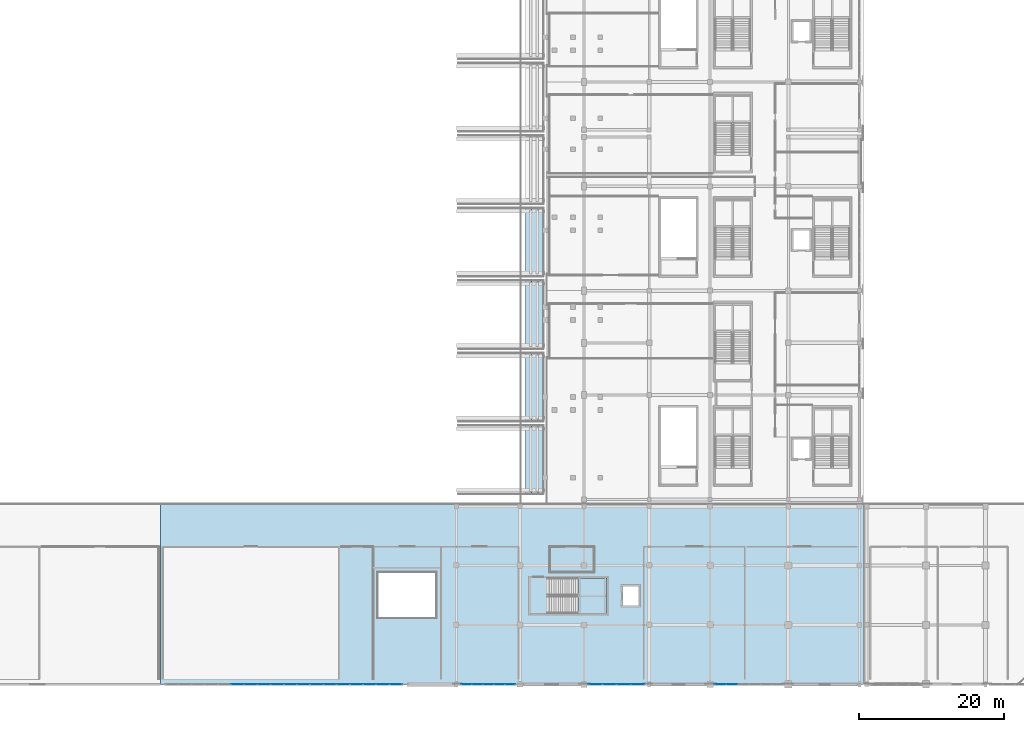
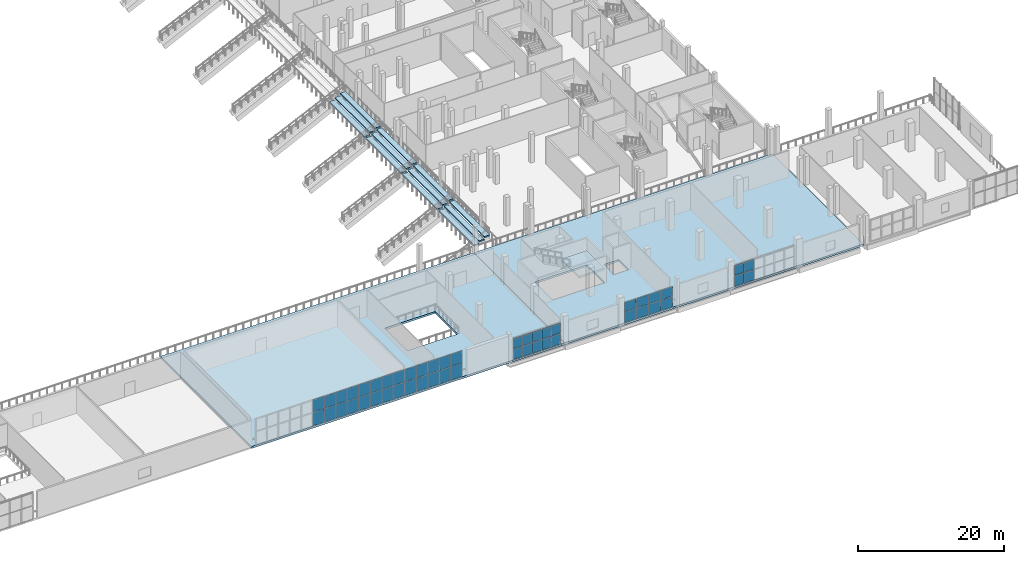
# One storey, part 63 of 129: 48 plates, 15 slabs, 5 elements without a shape of their own.
"""IFC4 building model written with IfcOpenShell, lengths in metres."""

from ifc_helpers import new_model, si_unit, direction, frame, origin, origin_2d, place, context, subcontext, project, spatial, polyline, rectangle, outline, extrude, material, layer, layer_set, type_object, element, aggregate, save


model = new_model("IFC4")

# Units and contexts
model_context = context("Model", 3, precision=1e-05, world=origin(), true_north=direction((0.0, 1.0)))
body_context = subcontext(model_context, "Body", "Model", "MODEL_VIEW")
ifc_project = project(units=[si_unit("LENGTHUNIT", "METRE"), si_unit("AREAUNIT", "SQUARE_METRE"), si_unit("VOLUMEUNIT", "CUBIC_METRE"), si_unit("PLANEANGLEUNIT", "RADIAN"), si_unit("MASSUNIT", "GRAM", prefix="KILO")], contexts=[model_context])

# Site, building, storey
site_placement = place(None, origin())
site = spatial("IfcSite", under=ifc_project, at=site_placement, CompositionType="ELEMENT")
building_placement = place(site_placement, origin())
building = spatial("IfcBuilding", under=site, at=building_placement, Name="Koshinbarg Plaza Stadium", CompositionType="ELEMENT")
storey_placement = place(building_placement, frame((0.0, 0.0, 5.39990234375)))
storey = spatial("IfcBuildingStorey", under=building, at=storey_placement, Name="L01", CompositionType="ELEMENT", Elevation=5.39990234375)

# Curtain wall, plates
ifc_material_1 = material(Name="Thermally broken anodised aluminium and low-E double glazing", Category="aluminium")
curtain_wall_type_1 = type_object("IfcCurtainWallType", Name="CW-SYS-13", PredefinedType="NOTDEFINED", material=ifc_material_1)
curtain_wall_1_placement = place(storey_placement, origin())
curtain_wall_1 = element("IfcCurtainWall", 1, at=curtain_wall_1_placement, inside=storey, type_object=curtain_wall_type_1, Name="L01 unitised curtain wall CW-L01-028", PredefinedType="NOTDEFINED")
ifc_material_2 = material(Name="Solar-control low-E double glazing unit", Category="glass")
ifc_layer_1 = layer(ifc_material_2, 0.028076171875)
ifc_layer_set_1 = layer_set([ifc_layer_1], Name="Solar-control low-E double glazing unit")
plate_type_1 = type_object("IfcPlateType", Name="CW-PNL-28", PredefinedType="CURTAIN_PANEL", material=ifc_layer_set_1)
plate_1_placement = place(storey_placement, frame((200.81005859375, 0.0, 0.06005859375), z_axis=(0.0, 0.0, 1.0), x_axis=(-1.0, 0.0, 0.0)))
plate_1 = element("IfcPlate", 2, at=plate_1_placement, type_object=plate_type_1, Name="CW13 panel 5.1", PredefinedType="CURTAIN_PANEL", context=body_context, shape_type="SweptSolid", body=[
    extrude(rectangle(XDim=1.533447265625, YDim=0.028076171875, at=origin_2d()), origin(), (0.0, 0.0, 1.0), 1.771484375),
])
plate_2_placement = place(storey_placement, frame((200.81005859375, 0.0, 1.8916015625), z_axis=(0.0, 0.0, 1.0), x_axis=(-1.0, 0.0, 0.0)))
plate_2 = element("IfcPlate", 3, at=plate_2_placement, type_object=plate_type_1, Name="CW13 panel 5.2", PredefinedType="CURTAIN_PANEL", context=body_context, shape_type="SweptSolid", body=[
    extrude(rectangle(XDim=1.533447265625, YDim=0.028076171875, at=origin_2d()), origin(), (0.0, 0.0, 1.0), 1.62841796875),
])
plate_3_placement = place(storey_placement, frame((199.231689453125, 0.0, 0.06005859375), z_axis=(0.0, 0.0, 1.0), x_axis=(-1.0, 0.0, 0.0)))
plate_3 = element("IfcPlate", 4, at=plate_3_placement, type_object=plate_type_1, Name="CW13 panel 6.1", PredefinedType="CURTAIN_PANEL", context=body_context, shape_type="SweptSolid", body=[
    extrude(rectangle(XDim=1.50341796875, YDim=0.028076171875, at=origin_2d()), origin(), (0.0, 0.0, 1.0), 1.771484375),
])
plate_4_placement = place(storey_placement, frame((199.231689453125, 0.0, 1.8916015625), z_axis=(0.0, 0.0, 1.0), x_axis=(-1.0, 0.0, 0.0)))
plate_4 = element("IfcPlate", 5, at=plate_4_placement, type_object=plate_type_1, Name="CW13 panel 6.2", PredefinedType="CURTAIN_PANEL", context=body_context, shape_type="SweptSolid", body=[
    extrude(rectangle(XDim=1.50341796875, YDim=0.028076171875, at=origin_2d()), origin(), (0.0, 0.0, 1.0), 1.62841796875),
])
aggregate(curtain_wall_1, [plate_1, plate_2, plate_3, plate_4])

curtain_wall_type_2 = type_object("IfcCurtainWallType", Name="CW-SYS-15", PredefinedType="NOTDEFINED", material=ifc_material_1)
curtain_wall_2_placement = place(storey_placement, origin())
curtain_wall_2 = element("IfcCurtainWall", 6, at=curtain_wall_2_placement, inside=storey, type_object=curtain_wall_type_2, Name="L01 unitised curtain wall CW-L01-030", PredefinedType="NOTDEFINED")
plate_5_placement = place(storey_placement, frame((170.208984375, 0.0, 0.06005859375), z_axis=(0.0, 0.0, 1.0), x_axis=(-1.0, 0.0, 0.0)))
plate_5 = element("IfcPlate", 7, at=plate_5_placement, type_object=plate_type_1, Name="CW15 panel 1.1", PredefinedType="CURTAIN_PANEL", context=body_context, shape_type="SweptSolid", body=[
    extrude(rectangle(XDim=1.422119140625, YDim=0.028076171875, at=origin_2d()), origin(), (0.0, 0.0, 1.0), 1.797607421875),
])
plate_6_placement = place(storey_placement, frame((170.208984375, 0.0, 1.917724609375), z_axis=(0.0, 0.0, 1.0), x_axis=(-1.0, 0.0, 0.0)))
plate_6 = element("IfcPlate", 8, at=plate_6_placement, type_object=plate_type_1, Name="CW15 panel 1.2", PredefinedType="CURTAIN_PANEL", context=body_context, shape_type="SweptSolid", body=[
    extrude(rectangle(XDim=1.422119140625, YDim=0.028076171875, at=origin_2d()), origin(), (0.0, 0.0, 1.0), 1.65234375),
])
plate_7_placement = place(storey_placement, frame((168.7119140625, 0.0, 0.06005859375), z_axis=(0.0, 0.0, 1.0), x_axis=(-1.0, 0.0, 0.0)))
plate_7 = element("IfcPlate", 9, at=plate_7_placement, type_object=plate_type_1, Name="CW15 panel 2.1", PredefinedType="CURTAIN_PANEL", context=body_context, shape_type="SweptSolid", body=[
    extrude(rectangle(XDim=1.451904296875, YDim=0.028076171875, at=origin_2d()), origin(), (0.0, 0.0, 1.0), 1.797607421875),
])
plate_8_placement = place(storey_placement, frame((168.7119140625, 0.0, 1.917724609375), z_axis=(0.0, 0.0, 1.0), x_axis=(-1.0, 0.0, 0.0)))
plate_8 = element("IfcPlate", 10, at=plate_8_placement, type_object=plate_type_1, Name="CW15 panel 2.2", PredefinedType="CURTAIN_PANEL", context=body_context, shape_type="SweptSolid", body=[
    extrude(rectangle(XDim=1.451904296875, YDim=0.028076171875, at=origin_2d()), origin(), (0.0, 0.0, 1.0), 1.65234375),
])
plate_9_placement = place(storey_placement, frame((167.199951171875, 0.0, 0.06005859375), z_axis=(0.0, 0.0, 1.0), x_axis=(-1.0, 0.0, 0.0)))
plate_9 = element("IfcPlate", 11, at=plate_9_placement, type_object=plate_type_1, Name="CW15 panel 3.1", PredefinedType="CURTAIN_PANEL", context=body_context, shape_type="SweptSolid", body=[
    extrude(rectangle(XDim=1.451904296875, YDim=0.028076171875, at=origin_2d()), origin(), (0.0, 0.0, 1.0), 1.797607421875),
])
plate_10_placement = place(storey_placement, frame((167.199951171875, 0.0, 1.917724609375), z_axis=(0.0, 0.0, 1.0), x_axis=(-1.0, 0.0, 0.0)))
plate_10 = element("IfcPlate", 12, at=plate_10_placement, type_object=plate_type_1, Name="CW15 panel 3.2", PredefinedType="CURTAIN_PANEL", context=body_context, shape_type="SweptSolid", body=[
    extrude(rectangle(XDim=1.451904296875, YDim=0.028076171875, at=origin_2d()), origin(), (0.0, 0.0, 1.0), 1.65234375),
])
plate_11_placement = place(storey_placement, frame((165.68798828125, 0.0, 0.06005859375), z_axis=(0.0, 0.0, 1.0), x_axis=(-1.0, 0.0, 0.0)))
plate_11 = element("IfcPlate", 13, at=plate_11_placement, type_object=plate_type_1, Name="CW15 panel 4.1", PredefinedType="CURTAIN_PANEL", context=body_context, shape_type="SweptSolid", body=[
    extrude(rectangle(XDim=1.451904296875, YDim=0.028076171875, at=origin_2d()), origin(), (0.0, 0.0, 1.0), 1.797607421875),
])
plate_12_placement = place(storey_placement, frame((165.68798828125, 0.0, 1.917724609375), z_axis=(0.0, 0.0, 1.0), x_axis=(-1.0, 0.0, 0.0)))
plate_12 = element("IfcPlate", 14, at=plate_12_placement, type_object=plate_type_1, Name="CW15 panel 4.2", PredefinedType="CURTAIN_PANEL", context=body_context, shape_type="SweptSolid", body=[
    extrude(rectangle(XDim=1.451904296875, YDim=0.028076171875, at=origin_2d()), origin(), (0.0, 0.0, 1.0), 1.65234375),
])
plate_13_placement = place(storey_placement, frame((164.19091796875, 0.0, 0.06005859375), z_axis=(0.0, 0.0, 1.0), x_axis=(-1.0, 0.0, 0.0)))
plate_13 = element("IfcPlate", 15, at=plate_13_placement, type_object=plate_type_1, Name="CW15 panel 5.1", PredefinedType="CURTAIN_PANEL", context=body_context, shape_type="SweptSolid", body=[
    extrude(rectangle(XDim=1.422119140625, YDim=0.028076171875, at=origin_2d()), origin(), (0.0, 0.0, 1.0), 1.797607421875),
])
plate_14_placement = place(storey_placement, frame((164.19091796875, 0.0, 1.917724609375), z_axis=(0.0, 0.0, 1.0), x_axis=(-1.0, 0.0, 0.0)))
plate_14 = element("IfcPlate", 16, at=plate_14_placement, type_object=plate_type_1, Name="CW15 panel 5.2", PredefinedType="CURTAIN_PANEL", context=body_context, shape_type="SweptSolid", body=[
    extrude(rectangle(XDim=1.422119140625, YDim=0.028076171875, at=origin_2d()), origin(), (0.0, 0.0, 1.0), 1.65234375),
])
aggregate(curtain_wall_2, [plate_5, plate_6, plate_7, plate_8, plate_9, plate_10, plate_11, plate_12, plate_13, plate_14])

curtain_wall_type_3 = type_object("IfcCurtainWallType", Name="CW-SYS-14", PredefinedType="NOTDEFINED", material=ifc_material_1)
curtain_wall_3_placement = place(storey_placement, origin())
curtain_wall_3 = element("IfcCurtainWall", 17, at=curtain_wall_3_placement, inside=storey, type_object=curtain_wall_type_3, Name="L01 unitised curtain wall CW-L01-029", PredefinedType="NOTDEFINED")
ifc_material_3 = material(Name="Acoustic solar-control double glazing unit", Category="glass")
ifc_layer_2 = layer(ifc_material_3, 0.031982421875)
ifc_layer_set_2 = layer_set([ifc_layer_2], Name="Acoustic solar-control double glazing unit")
plate_type_2 = type_object("IfcPlateType", Name="CW-PNL-32", PredefinedType="CURTAIN_PANEL", material=ifc_layer_set_2)
plate_15_placement = place(storey_placement, frame((187.794921875, 0.0, 0.06005859375), z_axis=(0.0, 0.0, 1.0), x_axis=(-1.0, 0.0, 0.0)))
plate_15 = element("IfcPlate", 18, at=plate_15_placement, type_object=plate_type_2, Name="CW14 panel 1.1", PredefinedType="CURTAIN_PANEL", context=body_context, shape_type="SweptSolid", body=[
    extrude(rectangle(XDim=1.85009765625, YDim=0.031982421875, at=origin_2d()), origin(), (0.0, 0.0, 1.0), 1.74560546875),
])
plate_16_placement = place(storey_placement, frame((187.794921875, 0.0, 1.86572265625), z_axis=(0.0, 0.0, 1.0), x_axis=(-1.0, 0.0, 0.0)))
plate_16 = element("IfcPlate", 19, at=plate_16_placement, type_object=plate_type_2, Name="CW14 panel 1.2", PredefinedType="CURTAIN_PANEL", context=body_context, shape_type="SweptSolid", body=[
    extrude(rectangle(XDim=1.85009765625, YDim=0.031982421875, at=origin_2d()), origin(), (0.0, 0.0, 1.0), 1.6044921875),
])
plate_17_placement = place(storey_placement, frame((185.8701171875, 0.0, 0.06005859375), z_axis=(0.0, 0.0, 1.0), x_axis=(-1.0, 0.0, 0.0)))
plate_17 = element("IfcPlate", 20, at=plate_17_placement, type_object=plate_type_2, Name="CW14 panel 2.1", PredefinedType="CURTAIN_PANEL", context=body_context, shape_type="SweptSolid", body=[
    extrude(rectangle(XDim=1.8798828125, YDim=0.031982421875, at=origin_2d()), origin(), (0.0, 0.0, 1.0), 1.74560546875),
])
plate_18_placement = place(storey_placement, frame((185.8701171875, 0.0, 1.86572265625), z_axis=(0.0, 0.0, 1.0), x_axis=(-1.0, 0.0, 0.0)))
plate_18 = element("IfcPlate", 21, at=plate_18_placement, type_object=plate_type_2, Name="CW14 panel 2.2", PredefinedType="CURTAIN_PANEL", context=body_context, shape_type="SweptSolid", body=[
    extrude(rectangle(XDim=1.8798828125, YDim=0.031982421875, at=origin_2d()), origin(), (0.0, 0.0, 1.0), 1.6044921875),
])
plate_19_placement = place(storey_placement, frame((183.929931640625, 0.0, 0.06005859375), z_axis=(0.0, 0.0, 1.0), x_axis=(-1.0, 0.0, 0.0)))
plate_19 = element("IfcPlate", 22, at=plate_19_placement, type_object=plate_type_2, Name="CW14 panel 3.1", PredefinedType="CURTAIN_PANEL", context=body_context, shape_type="SweptSolid", body=[
    extrude(rectangle(XDim=1.8798828125, YDim=0.031982421875, at=origin_2d()), origin(), (0.0, 0.0, 1.0), 1.74560546875),
])
plate_20_placement = place(storey_placement, frame((183.929931640625, 0.0, 1.86572265625), z_axis=(0.0, 0.0, 1.0), x_axis=(-1.0, 0.0, 0.0)))
plate_20 = element("IfcPlate", 23, at=plate_20_placement, type_object=plate_type_2, Name="CW14 panel 3.2", PredefinedType="CURTAIN_PANEL", context=body_context, shape_type="SweptSolid", body=[
    extrude(rectangle(XDim=1.8798828125, YDim=0.031982421875, at=origin_2d()), origin(), (0.0, 0.0, 1.0), 1.6044921875),
])
plate_21_placement = place(storey_placement, frame((182.0048828125, 0.0, 0.06005859375), z_axis=(0.0, 0.0, 1.0), x_axis=(-1.0, 0.0, 0.0)))
plate_21 = element("IfcPlate", 24, at=plate_21_placement, type_object=plate_type_2, Name="CW14 panel 4.1", PredefinedType="CURTAIN_PANEL", context=body_context, shape_type="SweptSolid", body=[
    extrude(rectangle(XDim=1.85009765625, YDim=0.031982421875, at=origin_2d()), origin(), (0.0, 0.0, 1.0), 1.74560546875),
])
plate_22_placement = place(storey_placement, frame((182.0048828125, 0.0, 1.86572265625), z_axis=(0.0, 0.0, 1.0), x_axis=(-1.0, 0.0, 0.0)))
plate_22 = element("IfcPlate", 25, at=plate_22_placement, type_object=plate_type_2, Name="CW14 panel 4.2", PredefinedType="CURTAIN_PANEL", context=body_context, shape_type="SweptSolid", body=[
    extrude(rectangle(XDim=1.85009765625, YDim=0.031982421875, at=origin_2d()), origin(), (0.0, 0.0, 1.0), 1.6044921875),
])
aggregate(curtain_wall_3, [plate_15, plate_16, plate_17, plate_18, plate_19, plate_20, plate_21, plate_22])

curtain_wall_type_4 = type_object("IfcCurtainWallType", Name="CW-SYS-16", PredefinedType="NOTDEFINED", material=ifc_material_1)
curtain_wall_4_placement = place(storey_placement, origin())
curtain_wall_4 = element("IfcCurtainWall", 26, at=curtain_wall_4_placement, inside=storey, type_object=curtain_wall_type_4, Name="L01 unitised curtain wall CW-L01-031", PredefinedType="NOTDEFINED")
plate_23_placement = place(storey_placement, frame((154.455078125, 0.0, 0.06005859375), z_axis=(0.0, 0.0, 1.0), x_axis=(-1.0, 0.0, 0.0)))
plate_23 = element("IfcPlate", 27, at=plate_23_placement, type_object=plate_type_2, Name="CW16 panel 1.1", PredefinedType="CURTAIN_PANEL", context=body_context, shape_type="SweptSolid", body=[
    extrude(rectangle(XDim=1.72998046875, YDim=0.031982421875, at=origin_2d()), origin(), (0.0, 0.0, 1.0), 2.239501953125),
])
plate_24_placement = place(storey_placement, frame((154.455078125, 0.0, 2.35986328125), z_axis=(0.0, 0.0, 1.0), x_axis=(-1.0, 0.0, 0.0)))
plate_24 = element("IfcPlate", 28, at=plate_24_placement, type_object=plate_type_2, Name="CW16 panel 1.2", PredefinedType="CURTAIN_PANEL", context=body_context, shape_type="SweptSolid", body=[
    extrude(rectangle(XDim=1.72998046875, YDim=0.031982421875, at=origin_2d()), origin(), (0.0, 0.0, 1.0), 2.060302734375),
])
plate_25_placement = place(storey_placement, frame((152.64990234375, 0.0, 0.06005859375), z_axis=(0.0, 0.0, 1.0), x_axis=(-1.0, 0.0, 0.0)))
plate_25 = element("IfcPlate", 29, at=plate_25_placement, type_object=plate_type_2, Name="CW16 panel 2.1", PredefinedType="CURTAIN_PANEL", context=body_context, shape_type="SweptSolid", body=[
    extrude(rectangle(XDim=1.760009765625, YDim=0.031982421875, at=origin_2d()), origin(), (0.0, 0.0, 1.0), 2.239501953125),
])
plate_26_placement = place(storey_placement, frame((152.64990234375, 0.0, 2.35986328125), z_axis=(0.0, 0.0, 1.0), x_axis=(-1.0, 0.0, 0.0)))
plate_26 = element("IfcPlate", 30, at=plate_26_placement, type_object=plate_type_2, Name="CW16 panel 2.2", PredefinedType="CURTAIN_PANEL", context=body_context, shape_type="SweptSolid", body=[
    extrude(rectangle(XDim=1.760009765625, YDim=0.031982421875, at=origin_2d()), origin(), (0.0, 0.0, 1.0), 2.060302734375),
])
plate_27_placement = place(storey_placement, frame((150.830078125, 0.0, 0.06005859375), z_axis=(0.0, 0.0, 1.0), x_axis=(-1.0, 0.0, 0.0)))
plate_27 = element("IfcPlate", 31, at=plate_27_placement, type_object=plate_type_2, Name="CW16 panel 3.1", PredefinedType="CURTAIN_PANEL", context=body_context, shape_type="SweptSolid", body=[
    extrude(rectangle(XDim=1.760009765625, YDim=0.031982421875, at=origin_2d()), origin(), (0.0, 0.0, 1.0), 2.239501953125),
])
plate_28_placement = place(storey_placement, frame((150.830078125, 0.0, 2.35986328125), z_axis=(0.0, 0.0, 1.0), x_axis=(-1.0, 0.0, 0.0)))
plate_28 = element("IfcPlate", 32, at=plate_28_placement, type_object=plate_type_2, Name="CW16 panel 3.2", PredefinedType="CURTAIN_PANEL", context=body_context, shape_type="SweptSolid", body=[
    extrude(rectangle(XDim=1.760009765625, YDim=0.031982421875, at=origin_2d()), origin(), (0.0, 0.0, 1.0), 2.060302734375),
])
plate_29_placement = place(storey_placement, frame((149.010009765625, 0.0, 0.06005859375), z_axis=(0.0, 0.0, 1.0), x_axis=(-1.0, 0.0, 0.0)))
plate_29 = element("IfcPlate", 33, at=plate_29_placement, type_object=plate_type_2, Name="CW16 panel 4.1", PredefinedType="CURTAIN_PANEL", context=body_context, shape_type="SweptSolid", body=[
    extrude(rectangle(XDim=1.760009765625, YDim=0.031982421875, at=origin_2d()), origin(), (0.0, 0.0, 1.0), 2.239501953125),
])
plate_30_placement = place(storey_placement, frame((149.010009765625, 0.0, 2.35986328125), z_axis=(0.0, 0.0, 1.0), x_axis=(-1.0, 0.0, 0.0)))
plate_30 = element("IfcPlate", 34, at=plate_30_placement, type_object=plate_type_2, Name="CW16 panel 4.2", PredefinedType="CURTAIN_PANEL", context=body_context, shape_type="SweptSolid", body=[
    extrude(rectangle(XDim=1.760009765625, YDim=0.031982421875, at=origin_2d()), origin(), (0.0, 0.0, 1.0), 2.060302734375),
])
plate_31_placement = place(storey_placement, frame((147.18994140625, 0.0, 0.06005859375), z_axis=(0.0, 0.0, 1.0), x_axis=(-1.0, 0.0, 0.0)))
plate_31 = element("IfcPlate", 35, at=plate_31_placement, type_object=plate_type_2, Name="CW16 panel 5.1", PredefinedType="CURTAIN_PANEL", context=body_context, shape_type="SweptSolid", body=[
    extrude(rectangle(XDim=1.760009765625, YDim=0.031982421875, at=origin_2d()), origin(), (0.0, 0.0, 1.0), 2.239501953125),
])
plate_32_placement = place(storey_placement, frame((147.18994140625, 0.0, 2.35986328125), z_axis=(0.0, 0.0, 1.0), x_axis=(-1.0, 0.0, 0.0)))
plate_32 = element("IfcPlate", 36, at=plate_32_placement, type_object=plate_type_2, Name="CW16 panel 5.2", PredefinedType="CURTAIN_PANEL", context=body_context, shape_type="SweptSolid", body=[
    extrude(rectangle(XDim=1.760009765625, YDim=0.031982421875, at=origin_2d()), origin(), (0.0, 0.0, 1.0), 2.060302734375),
])
plate_33_placement = place(storey_placement, frame((145.3701171875, 0.0, 0.06005859375), z_axis=(0.0, 0.0, 1.0), x_axis=(-1.0, 0.0, 0.0)))
plate_33 = element("IfcPlate", 37, at=plate_33_placement, type_object=plate_type_2, Name="CW16 panel 6.1", PredefinedType="CURTAIN_PANEL", context=body_context, shape_type="SweptSolid", body=[
    extrude(rectangle(XDim=1.760009765625, YDim=0.031982421875, at=origin_2d()), origin(), (0.0, 0.0, 1.0), 2.239501953125),
])
plate_34_placement = place(storey_placement, frame((145.3701171875, 0.0, 2.35986328125), z_axis=(0.0, 0.0, 1.0), x_axis=(-1.0, 0.0, 0.0)))
plate_34 = element("IfcPlate", 38, at=plate_34_placement, type_object=plate_type_2, Name="CW16 panel 6.2", PredefinedType="CURTAIN_PANEL", context=body_context, shape_type="SweptSolid", body=[
    extrude(rectangle(XDim=1.760009765625, YDim=0.031982421875, at=origin_2d()), origin(), (0.0, 0.0, 1.0), 2.060302734375),
])
plate_35_placement = place(storey_placement, frame((143.550048828125, 0.0, 0.06005859375), z_axis=(0.0, 0.0, 1.0), x_axis=(-1.0, 0.0, 0.0)))
plate_35 = element("IfcPlate", 39, at=plate_35_placement, type_object=plate_type_2, Name="CW16 panel 7.1", PredefinedType="CURTAIN_PANEL", context=body_context, shape_type="SweptSolid", body=[
    extrude(rectangle(XDim=1.760009765625, YDim=0.031982421875, at=origin_2d()), origin(), (0.0, 0.0, 1.0), 2.239501953125),
])
plate_36_placement = place(storey_placement, frame((143.550048828125, 0.0, 2.35986328125), z_axis=(0.0, 0.0, 1.0), x_axis=(-1.0, 0.0, 0.0)))
plate_36 = element("IfcPlate", 40, at=plate_36_placement, type_object=plate_type_2, Name="CW16 panel 7.2", PredefinedType="CURTAIN_PANEL", context=body_context, shape_type="SweptSolid", body=[
    extrude(rectangle(XDim=1.760009765625, YDim=0.031982421875, at=origin_2d()), origin(), (0.0, 0.0, 1.0), 2.060302734375),
])
plate_37_placement = place(storey_placement, frame((141.72998046875, 0.0, 0.06005859375), z_axis=(0.0, 0.0, 1.0), x_axis=(-1.0, 0.0, 0.0)))
plate_37 = element("IfcPlate", 41, at=plate_37_placement, type_object=plate_type_2, Name="CW16 panel 8.1", PredefinedType="CURTAIN_PANEL", context=body_context, shape_type="SweptSolid", body=[
    extrude(rectangle(XDim=1.760009765625, YDim=0.031982421875, at=origin_2d()), origin(), (0.0, 0.0, 1.0), 2.239501953125),
])
plate_38_placement = place(storey_placement, frame((141.72998046875, 0.0, 2.35986328125), z_axis=(0.0, 0.0, 1.0), x_axis=(-1.0, 0.0, 0.0)))
plate_38 = element("IfcPlate", 42, at=plate_38_placement, type_object=plate_type_2, Name="CW16 panel 8.2", PredefinedType="CURTAIN_PANEL", context=body_context, shape_type="SweptSolid", body=[
    extrude(rectangle(XDim=1.760009765625, YDim=0.031982421875, at=origin_2d()), origin(), (0.0, 0.0, 1.0), 2.060302734375),
])
plate_39_placement = place(storey_placement, frame((139.909912109375, 0.0, 0.06005859375), z_axis=(0.0, 0.0, 1.0), x_axis=(-1.0, 0.0, 0.0)))
plate_39 = element("IfcPlate", 43, at=plate_39_placement, type_object=plate_type_2, Name="CW16 panel 9.1", PredefinedType="CURTAIN_PANEL", context=body_context, shape_type="SweptSolid", body=[
    extrude(rectangle(XDim=1.760009765625, YDim=0.031982421875, at=origin_2d()), origin(), (0.0, 0.0, 1.0), 2.239501953125),
])
plate_40_placement = place(storey_placement, frame((139.909912109375, 0.0, 2.35986328125), z_axis=(0.0, 0.0, 1.0), x_axis=(-1.0, 0.0, 0.0)))
plate_40 = element("IfcPlate", 44, at=plate_40_placement, type_object=plate_type_2, Name="CW16 panel 9.2", PredefinedType="CURTAIN_PANEL", context=body_context, shape_type="SweptSolid", body=[
    extrude(rectangle(XDim=1.760009765625, YDim=0.031982421875, at=origin_2d()), origin(), (0.0, 0.0, 1.0), 2.060302734375),
])
plate_41_placement = place(storey_placement, frame((138.090087890625, 0.0, 0.06005859375), z_axis=(0.0, 0.0, 1.0), x_axis=(-1.0, 0.0, 0.0)))
plate_41 = element("IfcPlate", 45, at=plate_41_placement, type_object=plate_type_2, Name="CW16 panel 10.1", PredefinedType="CURTAIN_PANEL", context=body_context, shape_type="SweptSolid", body=[
    extrude(rectangle(XDim=1.760009765625, YDim=0.031982421875, at=origin_2d()), origin(), (0.0, 0.0, 1.0), 2.239501953125),
])
plate_42_placement = place(storey_placement, frame((138.090087890625, 0.0, 2.35986328125), z_axis=(0.0, 0.0, 1.0), x_axis=(-1.0, 0.0, 0.0)))
plate_42 = element("IfcPlate", 46, at=plate_42_placement, type_object=plate_type_2, Name="CW16 panel 10.2", PredefinedType="CURTAIN_PANEL", context=body_context, shape_type="SweptSolid", body=[
    extrude(rectangle(XDim=1.760009765625, YDim=0.031982421875, at=origin_2d()), origin(), (0.0, 0.0, 1.0), 2.060302734375),
])
plate_43_placement = place(storey_placement, frame((136.27001953125, 0.0, 0.06005859375), z_axis=(0.0, 0.0, 1.0), x_axis=(-1.0, 0.0, 0.0)))
plate_43 = element("IfcPlate", 47, at=plate_43_placement, type_object=plate_type_2, Name="CW16 panel 11.1", PredefinedType="CURTAIN_PANEL", context=body_context, shape_type="SweptSolid", body=[
    extrude(rectangle(XDim=1.760009765625, YDim=0.031982421875, at=origin_2d()), origin(), (0.0, 0.0, 1.0), 2.239501953125),
])
plate_44_placement = place(storey_placement, frame((136.27001953125, 0.0, 2.35986328125), z_axis=(0.0, 0.0, 1.0), x_axis=(-1.0, 0.0, 0.0)))
plate_44 = element("IfcPlate", 48, at=plate_44_placement, type_object=plate_type_2, Name="CW16 panel 11.2", PredefinedType="CURTAIN_PANEL", context=body_context, shape_type="SweptSolid", body=[
    extrude(rectangle(XDim=1.760009765625, YDim=0.031982421875, at=origin_2d()), origin(), (0.0, 0.0, 1.0), 2.060302734375),
])
plate_45_placement = place(storey_placement, frame((134.449951171875, 0.0, 0.06005859375), z_axis=(0.0, 0.0, 1.0), x_axis=(-1.0, 0.0, 0.0)))
plate_45 = element("IfcPlate", 49, at=plate_45_placement, type_object=plate_type_2, Name="CW16 panel 12.1", PredefinedType="CURTAIN_PANEL", context=body_context, shape_type="SweptSolid", body=[
    extrude(rectangle(XDim=1.760009765625, YDim=0.031982421875, at=origin_2d()), origin(), (0.0, 0.0, 1.0), 2.239501953125),
])
plate_46_placement = place(storey_placement, frame((134.449951171875, 0.0, 2.35986328125), z_axis=(0.0, 0.0, 1.0), x_axis=(-1.0, 0.0, 0.0)))
plate_46 = element("IfcPlate", 50, at=plate_46_placement, type_object=plate_type_2, Name="CW16 panel 12.2", PredefinedType="CURTAIN_PANEL", context=body_context, shape_type="SweptSolid", body=[
    extrude(rectangle(XDim=1.760009765625, YDim=0.031982421875, at=origin_2d()), origin(), (0.0, 0.0, 1.0), 2.060302734375),
])
plate_47_placement = place(storey_placement, frame((132.6298828125, 0.0, 0.06005859375), z_axis=(0.0, 0.0, 1.0), x_axis=(-1.0, 0.0, 0.0)))
plate_47 = element("IfcPlate", 51, at=plate_47_placement, type_object=plate_type_2, Name="CW16 panel 13.1", PredefinedType="CURTAIN_PANEL", context=body_context, shape_type="SweptSolid", body=[
    extrude(rectangle(XDim=1.760009765625, YDim=0.031982421875, at=origin_2d()), origin(), (0.0, 0.0, 1.0), 2.239501953125),
])
plate_48_placement = place(storey_placement, frame((132.6298828125, 0.0, 2.35986328125), z_axis=(0.0, 0.0, 1.0), x_axis=(-1.0, 0.0, 0.0)))
plate_48 = element("IfcPlate", 52, at=plate_48_placement, type_object=plate_type_2, Name="CW16 panel 13.2", PredefinedType="CURTAIN_PANEL", context=body_context, shape_type="SweptSolid", body=[
    extrude(rectangle(XDim=1.760009765625, YDim=0.031982421875, at=origin_2d()), origin(), (0.0, 0.0, 1.0), 2.060302734375),
])
aggregate(curtain_wall_4, [plate_23, plate_24, plate_25, plate_26, plate_27, plate_28, plate_29, plate_30, plate_31, plate_32, plate_33, plate_34, plate_35, plate_36, plate_37, plate_38, plate_39, plate_40, plate_41, plate_42, plate_43, plate_44, plate_45, plate_46, plate_47, plate_48])

# Slabs
ifc_material_4 = material(Name="Concrete C35/45", Category="concrete")
ifc_layer_3 = layer(ifc_material_4, 0.320068359375)
ifc_layer_set_3 = layer_set([ifc_layer_3], Name="Concrete C35/45")
slab_type_1 = type_object("IfcSlabType", Name="SL-FLR-320", PredefinedType="FLOOR", material=ifc_layer_set_3)
slab_1_placement = place(storey_placement, frame((0.0, 0.0, -0.31982421875)))
element("IfcSlab", 53, at=slab_1_placement, inside=storey, type_object=slab_type_1, Name="L01 V4 structural slab 16", PredefinedType="FLOOR", context=body_context, shape_type="SweptSolid", body=[
    extrude(outline(polyline([(122.0, 0.0), (171.60009765625, 0.0), (171.60009765625, 24.955078125), (122.0, 24.955078125), (122.0, 0.0)]), holes=[polyline([(152.0, 9.199951171875), (160.0, 9.199951171875), (160.0, 15.39990234375), (152.0, 15.39990234375), (152.0, 9.199951171875)])]), origin(), (0.0, 0.0, 1.0), 0.31982421875),
])
slab_2_placement = place(storey_placement, frame((0.0, 0.0, -0.31982421875)))
element("IfcSlab", 54, at=slab_2_placement, inside=storey, type_object=slab_type_1, Name="L01 V4 structural slab 17", PredefinedType="FLOOR", context=body_context, shape_type="SweptSolid", body=[
    extrude(outline(polyline([(171.60009765625, 0.0), (218.955078125, 0.0), (218.955078125, 24.955078125), (171.60009765625, 24.955078125), (171.60009765625, 0.0)]), holes=[polyline([(175.360107421875, 9.800048828125), (183.60009765625, 9.800048828125), (183.60009765625, 14.669921875), (175.360107421875, 14.669921875), (175.360107421875, 9.800048828125)]), polyline([(185.699951171875, 10.85009765625), (188.0, 10.85009765625), (188.0, 13.550048828125), (185.699951171875, 13.550048828125), (185.699951171875, 10.85009765625)])]), origin(), (0.0, 0.0, 1.0), 0.31982421875),
])

# Stair, slab
stair_type = type_object("IfcStairType", Name="ST-CORE-48", PredefinedType="HALF_TURN_STAIR", material=ifc_material_4)
stair_placement = place(storey_placement, origin())
stair = element("IfcStair", 55, at=stair_placement, inside=storey, type_object=stair_type, Name="L01 Protected Exit Stair C14", PredefinedType="HALF_TURN_STAIR")
ifc_layer_4 = layer(ifc_material_4, 0.320068359375)
ifc_layer_set_4 = layer_set([ifc_layer_4], Name="Concrete C35/45")
slab_type_2 = type_object("IfcSlabType", Name="SL-STLAND-280", PredefinedType="LANDING", material=ifc_layer_set_4)
slab_3_placement = place(storey_placement, frame((0.0, 0.0, 2.080078125)))
slab_3 = element("IfcSlab", 56, at=slab_3_placement, type_object=slab_type_2, Name="L01 Protected Exit Stair C14 landing 068", PredefinedType="LANDING", context=body_context, shape_type="SweptSolid", body=[
    extrude(outline(polyline([(179.56005859375, 9.800048828125), (183.60009765625, 9.800048828125), (183.60009765625, 14.669921875), (179.56005859375, 14.669921875), (179.56005859375, 9.800048828125)])), origin(), (0.0, 0.0, 1.0), 0.320068359375),
])
aggregate(stair, [slab_3])

# Slabs
ifc_material_5 = material(Name="Precast concrete C40/50", Category="concrete")
ifc_layer_5 = layer(ifc_material_5, 0.219970703125)
ifc_layer_set_5 = layer_set([ifc_layer_5], Name="Precast concrete C40/50")
slab_type_3 = type_object("IfcSlabType", Name="SL-TIER-LT", PredefinedType="USERDEFINED", material=ifc_layer_set_5)
slab_4_placement = place(storey_placement, frame((0.0, 0.0, 0.02001953125)))
element("IfcSlab", 57, at=slab_4_placement, inside=storey, type_object=slab_type_3, Name="Stand lower seating tier LT-E01 row 12", ObjectType="SEATING TIER", PredefinedType="USERDEFINED", context=body_context, shape_type="SweptSolid", body=[
    extrude(outline(polyline([(172.35009765625, 26.199951171875), (173.199951171875, 26.199951171875), (173.199951171875, 35.800048828125), (172.35009765625, 35.800048828125), (172.35009765625, 26.199951171875)])), origin(), (0.0, 0.0, 1.0), 0.219970703125),
])
slab_5_placement = place(storey_placement, frame((0.0, 0.0, 0.440185546875)))
element("IfcSlab", 58, at=slab_5_placement, inside=storey, type_object=slab_type_3, Name="Stand lower seating tier LT-E01 row 13", ObjectType="SEATING TIER", PredefinedType="USERDEFINED", context=body_context, shape_type="SweptSolid", body=[
    extrude(outline(polyline([(173.199951171875, 26.199951171875), (174.050048828125, 26.199951171875), (174.050048828125, 35.449951171875), (173.699951171875, 35.800048828125), (173.199951171875, 35.800048828125), (173.199951171875, 26.199951171875)])), origin(), (0.0, 0.0, 1.0), 0.219970703125),
])
slab_6_placement = place(storey_placement, frame((0.0, 0.0, 0.860107421875)))
element("IfcSlab", 59, at=slab_6_placement, inside=storey, type_object=slab_type_3, Name="Stand lower seating tier LT-E01 row 14", ObjectType="SEATING TIER", PredefinedType="USERDEFINED", context=body_context, shape_type="SweptSolid", body=[
    extrude(outline(polyline([(174.050048828125, 26.199951171875), (174.89990234375, 26.199951171875), (174.89990234375, 35.800048828125), (174.050048828125, 35.800048828125), (174.050048828125, 26.199951171875)])), origin(), (0.0, 0.0, 1.0), 0.219970703125),
])
slab_7_placement = place(storey_placement, frame((0.0, 0.0, 0.02001953125)))
element("IfcSlab", 60, at=slab_7_placement, inside=storey, type_object=slab_type_3, Name="Stand lower seating tier LT-E02 row 12", ObjectType="SEATING TIER", PredefinedType="USERDEFINED", context=body_context, shape_type="SweptSolid", body=[
    extrude(outline(polyline([(172.35009765625, 36.199951171875), (173.199951171875, 36.199951171875), (173.199951171875, 45.800048828125), (172.35009765625, 45.800048828125), (172.35009765625, 36.199951171875)])), origin(), (0.0, 0.0, 1.0), 0.219970703125),
])
slab_8_placement = place(storey_placement, frame((0.0, 0.0, 0.440185546875)))
element("IfcSlab", 61, at=slab_8_placement, inside=storey, type_object=slab_type_3, Name="Stand lower seating tier LT-E02 row 13", ObjectType="SEATING TIER", PredefinedType="USERDEFINED", context=body_context, shape_type="SweptSolid", body=[
    extrude(outline(polyline([(173.199951171875, 36.199951171875), (174.050048828125, 36.199951171875), (174.050048828125, 45.800048828125), (173.199951171875, 45.800048828125), (173.199951171875, 36.199951171875)])), origin(), (0.0, 0.0, 1.0), 0.219970703125),
])
slab_9_placement = place(storey_placement, frame((0.0, 0.0, 0.860107421875)))
element("IfcSlab", 62, at=slab_9_placement, inside=storey, type_object=slab_type_3, Name="Stand lower seating tier LT-E02 row 14", ObjectType="SEATING TIER", PredefinedType="USERDEFINED", context=body_context, shape_type="SweptSolid", body=[
    extrude(outline(polyline([(174.050048828125, 36.199951171875), (174.89990234375, 36.199951171875), (174.89990234375, 45.800048828125), (174.050048828125, 45.800048828125), (174.050048828125, 36.199951171875)])), origin(), (0.0, 0.0, 1.0), 0.219970703125),
])
slab_10_placement = place(storey_placement, frame((0.0, 0.0, 0.02001953125)))
element("IfcSlab", 63, at=slab_10_placement, inside=storey, type_object=slab_type_3, Name="Stand lower seating tier LT-E03 row 12", ObjectType="SEATING TIER", PredefinedType="USERDEFINED", context=body_context, shape_type="SweptSolid", body=[
    extrude(outline(polyline([(172.35009765625, 46.199951171875), (173.199951171875, 46.199951171875), (173.199951171875, 55.800048828125), (172.35009765625, 55.800048828125), (172.35009765625, 46.199951171875)])), origin(), (0.0, 0.0, 1.0), 0.219970703125),
])
slab_11_placement = place(storey_placement, frame((0.0, 0.0, 0.440185546875)))
element("IfcSlab", 64, at=slab_11_placement, inside=storey, type_object=slab_type_3, Name="Stand lower seating tier LT-E03 row 13", ObjectType="SEATING TIER", PredefinedType="USERDEFINED", context=body_context, shape_type="SweptSolid", body=[
    extrude(outline(polyline([(173.199951171875, 46.199951171875), (174.050048828125, 46.199951171875), (174.050048828125, 55.800048828125), (173.199951171875, 55.800048828125), (173.199951171875, 46.199951171875)])), origin(), (0.0, 0.0, 1.0), 0.219970703125),
])
slab_12_placement = place(storey_placement, frame((0.0, 0.0, 0.860107421875)))
element("IfcSlab", 65, at=slab_12_placement, inside=storey, type_object=slab_type_3, Name="Stand lower seating tier LT-E03 row 14", ObjectType="SEATING TIER", PredefinedType="USERDEFINED", context=body_context, shape_type="SweptSolid", body=[
    extrude(outline(polyline([(174.050048828125, 46.199951171875), (174.89990234375, 46.199951171875), (174.89990234375, 55.800048828125), (174.050048828125, 55.800048828125), (174.050048828125, 46.199951171875)])), origin(), (0.0, 0.0, 1.0), 0.219970703125),
])
slab_13_placement = place(storey_placement, frame((0.0, 0.0, 0.02001953125)))
element("IfcSlab", 66, at=slab_13_placement, inside=storey, type_object=slab_type_3, Name="Stand lower seating tier LT-E04 row 12", ObjectType="SEATING TIER", PredefinedType="USERDEFINED", context=body_context, shape_type="SweptSolid", body=[
    extrude(outline(polyline([(172.35009765625, 56.199951171875), (173.199951171875, 56.199951171875), (173.199951171875, 65.800048828125), (172.35009765625, 65.800048828125), (172.35009765625, 56.199951171875)])), origin(), (0.0, 0.0, 1.0), 0.219970703125),
])
slab_14_placement = place(storey_placement, frame((0.0, 0.0, 0.440185546875)))
element("IfcSlab", 67, at=slab_14_placement, inside=storey, type_object=slab_type_3, Name="Stand lower seating tier LT-E04 row 13", ObjectType="SEATING TIER", PredefinedType="USERDEFINED", context=body_context, shape_type="SweptSolid", body=[
    extrude(outline(polyline([(173.199951171875, 56.199951171875), (174.050048828125, 56.199951171875), (174.050048828125, 65.800048828125), (173.199951171875, 65.800048828125), (173.199951171875, 56.199951171875)])), origin(), (0.0, 0.0, 1.0), 0.219970703125),
])
slab_15_placement = place(storey_placement, frame((0.0, 0.0, 0.860107421875)))
element("IfcSlab", 68, at=slab_15_placement, inside=storey, type_object=slab_type_3, Name="Stand lower seating tier LT-E04 row 14", ObjectType="SEATING TIER", PredefinedType="USERDEFINED", context=body_context, shape_type="SweptSolid", body=[
    extrude(outline(polyline([(174.050048828125, 56.199951171875), (174.89990234375, 56.199951171875), (174.89990234375, 65.800048828125), (174.050048828125, 65.800048828125), (174.050048828125, 56.199951171875)])), origin(), (0.0, 0.0, 1.0), 0.219970703125),
])

save(model, "model.ifc")
